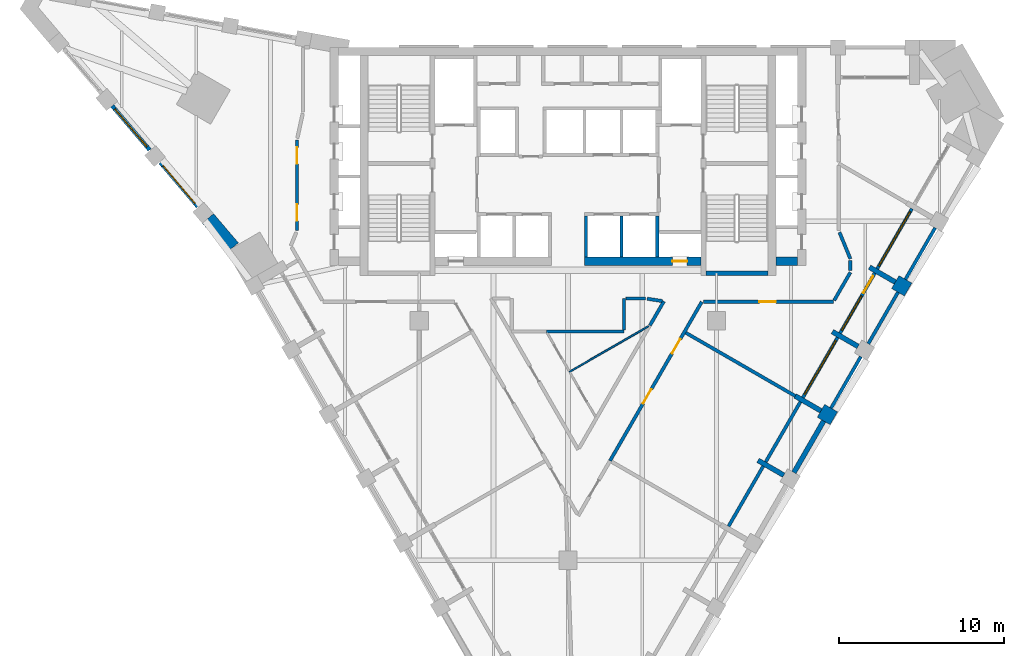
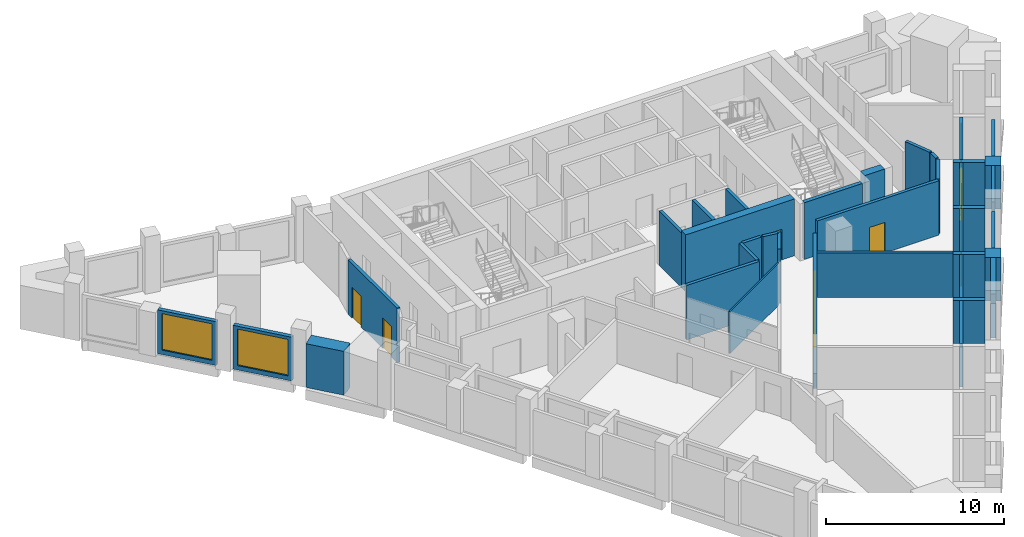
# One storey, part 4 of 9: 37 walls, 7 doors, 5 windows, 12 openings.
"""IFC4 building model written with IfcOpenShell, lengths in metres."""

from ifc_helpers import new_model, si_unit, direction, frame, frame_2d, origin, place, context, subcontext, project, spatial, polyline, rectangle, outline, extrude, material, layer, layer_set, type_object, element, fill, save


model = new_model("IFC4")

# Units and contexts
model_context = context("Model", 3, precision=1e-05, world=origin(), true_north=direction((0.0, 1.0)))
body_context = subcontext(model_context, "Body", "Model", "MODEL_VIEW")
ifc_project = project(units=[si_unit("LENGTHUNIT", "METRE"), si_unit("AREAUNIT", "SQUARE_METRE"), si_unit("VOLUMEUNIT", "CUBIC_METRE"), si_unit("PLANEANGLEUNIT", "RADIAN"), si_unit("MASSUNIT", "GRAM", prefix="KILO")], contexts=[model_context])

# Site, building, storey
site_placement = place(None, origin())
site = spatial("IfcSite", under=ifc_project, at=site_placement, CompositionType="ELEMENT")
building_placement = place(site_placement, origin())
building = spatial("IfcBuilding", under=site, at=building_placement, Name="Calabash Gate Tower", CompositionType="ELEMENT")
storey_placement = place(building_placement, frame((0.0, 0.0, 223.699951171875)))
storey = spatial("IfcBuildingStorey", under=building, at=storey_placement, Name="L53", CompositionType="ELEMENT", Elevation=223.699951171875)

# Walls
ifc_material_1 = material(Name="Terracotta brick masonry, exposed face", Category="masonry")
ifc_layer_1 = layer(ifc_material_1, 0.89990234375)
ifc_layer_set_1 = layer_set([ifc_layer_1], Name="Brick end wall 900")
wall_type_1 = type_object("IfcWallType", Name="Brick end wall 900", PredefinedType="SOLIDWALL", material=ifc_layer_set_1)
for number, where, z_axis, x_axis, name in (
    (1, (16.09912109375, -3.400634765625, 0.0), (0.0, 0.0, 1.0), (-0.865964261186, 0.500105887137, 0.0), "Brick pier S15 SE2.5"),
    (2, (20.59912109375, 4.3935546875, 0.0), (0.0, 0.0, 1.0), (-0.865964261186, 0.500105887137, 0.0), "Brick pier S15 SE2.7"),
):
    element("IfcWall", number, at=place(storey_placement, frame(where, z_axis=z_axis, x_axis=x_axis)), inside=storey, type_object=wall_type_1, Name=name, PredefinedType="SOLIDWALL", context=body_context, shape_type="SweptSolid", body=[
        extrude(rectangle(XDim=0.900146484375, YDim=0.89990234375, at=frame_2d((0.4501953125, 0.0))), origin(), (0.0, 0.0, 1.0), 3.0),
    ])
wall_1_placement = place(storey_placement, origin())
element("IfcWall", 3, at=wall_1_placement, inside=storey, type_object=wall_type_1, Name="Brick end wall S15 3", PredefinedType="SOLIDWALL", context=body_context, shape_type="SweptSolid", body=[
    extrude(outline(polyline([(-19.947998046875, 7.2197265625), (-21.44921875, 8.985595703125), (-22.135009765625, 8.402587890625), (-20.66015625, 6.667724609375), (-20.6806640625, 6.703125), (-20.291015625, 6.92822265625), (-19.947998046875, 7.2197265625)])), origin(), (0.0, 0.0, 1.0), 3.0),
])
ifc_material_2 = material(Name="Terracotta brick masonry, exposed face", Category="masonry")
ifc_layer_2 = layer(ifc_material_2, 0.300048828125)
ifc_layer_set_2 = layer_set([ifc_layer_2], Name="Brick infill panel wall 300")
wall_type_2 = type_object("IfcWallType", Name="Brick infill panel wall 300", PredefinedType="SOLIDWALL", material=ifc_layer_set_2)
wall_2_placement = place(storey_placement, frame((13.684326171875, -6.682861328125, 0.0), z_axis=(0.0, 0.0, 1.0), x_axis=(0.500012057535, 0.866018442252, 0.0)))
element("IfcWall", 4, at=wall_2_placement, inside=storey, type_object=wall_type_2, Name="Brick panel S15 SE2.5", PredefinedType="SOLIDWALL", context=body_context, shape_type="SweptSolid", body=[
    extrude(rectangle(XDim=3.60009765625, YDim=0.300048828125, at=frame_2d((1.800048828125, 0.0))), origin(), (0.0, 0.0, 1.0), 3.0),
])
ifc_material_3 = material(Name="Terracotta brick masonry, exposed face", Category="masonry")
ifc_layer_3 = layer(ifc_material_3, 0.300048828125)
ifc_layer_set_3 = layer_set([ifc_layer_3], Name="Brick loggia cheek wall 300")
wall_type_3 = type_object("IfcWallType", Name="Brick loggia cheek wall 300", PredefinedType="SOLIDWALL", material=ifc_layer_set_3)
for number, where, z_axis, x_axis, name in (
    (5, (13.069580078125, -6.84765625, 0.0), (0.0, 0.0, 1.0), (-0.866047807691, 0.499961193289, 0.0), "Loggia cheek S15 SE2.4"),
    (6, (15.319580078125, -2.950439453125, 0.0), (0.0, 0.0, 1.0), (-0.866047807691, 0.499961193289, 0.0), "Loggia cheek S15 SE2.5"),
):
    element("IfcWall", number, at=place(storey_placement, frame(where, z_axis=z_axis, x_axis=x_axis)), inside=storey, type_object=wall_type_3, Name=name, PredefinedType="SOLIDWALL", context=body_context, shape_type="SweptSolid", body=[
        extrude(rectangle(XDim=1.800048828125, YDim=0.300048828125, at=frame_2d((0.89990234375, 0.0))), origin(), (0.0, 0.0, 1.0), 3.0),
    ])
wall_3_placement = place(storey_placement, frame((17.569091796875, 0.94677734375, 0.0), z_axis=(0.0, 0.0, 1.0), x_axis=(-0.865979975379, 0.500078676053, 0.0)))
element("IfcWall", 7, at=wall_3_placement, inside=storey, type_object=wall_type_3, Name="Loggia cheek S15 SE2.6", PredefinedType="SOLIDWALL", context=body_context, shape_type="SweptSolid", body=[
    extrude(rectangle(XDim=1.799560546875, YDim=0.300048828125, at=frame_2d((0.89990234375, 0.0))), origin(), (0.0, 0.0, 1.0), 3.0),
])
wall_4_placement = place(storey_placement, frame((19.819580078125, 4.84375, 0.0), z_axis=(0.0, 0.0, 1.0), x_axis=(-0.866047807691, 0.499961193289, 0.0)))
element("IfcWall", 8, at=wall_4_placement, inside=storey, type_object=wall_type_3, Name="Loggia cheek S15 SE2.7", PredefinedType="SOLIDWALL", context=body_context, shape_type="SweptSolid", body=[
    extrude(rectangle(XDim=1.800048828125, YDim=0.300048828125, at=frame_2d((0.89990234375, 0.0))), origin(), (0.0, 0.0, 1.0), 3.0),
])
ifc_material_4 = material(Name="Concrete C70/85", Category="concrete")
ifc_layer_4 = layer(ifc_material_4, 0.25)
ifc_layer_set_4 = layer_set([ifc_layer_4], Name="Core wall 250 Concrete C70/85")
wall_type_4 = type_object("IfcWallType", Name="Core wall 250 Concrete C70/85", PredefinedType="SHEAR", material=ifc_layer_set_4)
wall_5_placement = place(storey_placement, frame((8.35009765625, 5.377685546875, 0.0), z_axis=(0.0, 0.0, 1.0), x_axis=(1.0, 0.0, 0.0)))
element("IfcWall", 9, at=wall_5_placement, inside=storey, type_object=wall_type_4, Name="Core wall Z4-SSE L53", PredefinedType="SHEAR", context=body_context, shape_type="SweptSolid", body=[
    extrude(rectangle(XDim=3.75, YDim=0.25, at=frame_2d((1.875, 0.0))), origin(), (0.0, 0.0, 1.0), 3.900146484375),
])

# Wall, opening, door
ifc_material_5 = material(Name="Concrete C70/85", Category="concrete")
ifc_layer_5 = layer(ifc_material_5, 0.5)
ifc_layer_set_5 = layer_set([ifc_layer_5], Name="Core wall 500 Concrete C70/85")
wall_type_5 = type_object("IfcWallType", Name="Core wall 500 Concrete C70/85", PredefinedType="SHEAR", material=ifc_layer_set_5)
wall_6_placement = place(storey_placement, frame((1.0, 6.1025390625, 0.0), z_axis=(0.0, 0.0, 1.0), x_axis=(1.0, 0.0, 0.0)))
wall_6 = element("IfcWall", 10, at=wall_6_placement, inside=storey, type_object=wall_type_5, Name="Core wall Z4-SB L53", PredefinedType="SHEAR", context=body_context, shape_type="SweptSolid", body=[
    extrude(rectangle(XDim=7.050048828125, YDim=0.5, at=frame_2d((3.52490234375, 0.0))), origin(), (0.0, 0.0, 1.0), 3.900146484375),
])
opening_1_placement = place(wall_6_placement, frame((5.324951171875, 0.0, 0.0)))
opening_1 = element("IfcOpeningElement", 11, at=opening_1_placement, cuts=wall_6, Name="Opening O7-016", PredefinedType="OPENING", context=body_context, shape_type="SweptSolid", body=[
    extrude(rectangle(XDim=0.89990234375, YDim=2.10009765625, at=frame_2d((0.449951171875, 1.050048828125))), frame((0.0, 0.260009765625, 0.0), z_axis=(0.0, -1.0, 0.0), x_axis=(1.0, 0.0, 0.0)), (0.0, 0.0, 1.0), 0.52001953125),
])
ifc_material_6 = material(Name="Steel fire door set with fire-resisting glazing", Category="steel")
door_type_1 = type_object("IfcDoorType", Name="Fire door D07 900x2100 FD90", OperationType="NOTDEFINED", PredefinedType="DOOR", material=ifc_material_6)
door_1_placement = place(opening_1_placement, origin())
door_1 = element("IfcDoor", 12, at=door_1_placement, inside=storey, type_object=door_type_1, Name="Mechanical Riser E door", OperationType="SINGLE_SWING_RIGHT", OverallHeight=2.10009765625, OverallWidth=0.89990234375, PredefinedType="DOOR", context=body_context, shape_type="SweptSolid", body=[
    extrude(rectangle(XDim=0.89990234375, YDim=2.10009765625, at=frame_2d((0.449951171875, 1.050048828125))), frame((0.0, 0.02490234375, 0.0), z_axis=(0.0, -1.0, 0.0), x_axis=(1.0, 0.0, 0.0)), (0.0, 0.0, 1.0), 0.050048828125),
])
fill(opening_1, door_1)

# Walls
wall_7_placement = place(storey_placement, frame((12.60009765625, 6.1025390625, 0.0), z_axis=(0.0, 0.0, 1.0), x_axis=(1.0, 0.0, 0.0)))
element("IfcWall", 13, at=wall_7_placement, inside=storey, type_object=wall_type_5, Name="Core wall Z4-SE L53", PredefinedType="SHEAR", context=body_context, shape_type="SweptSolid", body=[
    extrude(rectangle(XDim=1.2998046875, YDim=0.5, at=frame_2d((0.64990234375, 0.0))), origin(), (0.0, 0.0, 1.0), 3.900146484375),
])
ifc_material_7 = material(Name="Gypsum board on steel studs, mineral wool", Category="steel")
ifc_layer_6 = layer(ifc_material_7, 0.10009765625)
ifc_layer_set_6 = layer_set([ifc_layer_6], Name="Partition 100 gypsum board")
wall_type_6 = type_object("IfcWallType", Name="Partition 100 gypsum board", PredefinedType="PARTITIONING", material=ifc_layer_set_6)
wall_8_placement = place(storey_placement, frame((0.09912109375, -0.587646484375, 0.0), z_axis=(0.0, 0.0, 1.0), x_axis=(0.866176017048, 0.49973903939, 0.0)))
element("IfcWall", 14, at=wall_8_placement, inside=storey, type_object=wall_type_6, Name="Partition", PredefinedType="PARTITIONING", context=body_context, shape_type="SweptSolid", body=[
    extrude(rectangle(XDim=5.52197265625, YDim=0.10009765625, at=frame_2d((2.760986328125, 0.0))), origin(), (0.0, 0.0, 1.0), 2.884033203125),
])
ifc_material_8 = material(Name="Gypsum board on steel studs, mineral wool", Category="steel")
ifc_layer_7 = layer(ifc_material_8, 0.199951171875)
ifc_layer_set_7 = layer_set([ifc_layer_7], Name="Partition 200 gypsum board EI 60")
wall_type_7 = type_object("IfcWallType", Name="Partition 200 gypsum board EI 60", PredefinedType="PARTITIONING", material=ifc_layer_set_7)
wall_9_placement = place(storey_placement, frame((7.13720703125, 1.77587890625, 0.0), z_axis=(0.0, 0.0, 1.0), x_axis=(0.865929891815, -0.500165395106, 0.0)))
element("IfcWall", 15, at=wall_9_placement, inside=storey, type_object=wall_type_7, Name="Partition", PredefinedType="PARTITIONING", context=body_context, shape_type="SweptSolid", body=[
    extrude(rectangle(XDim=7.6494140625, YDim=0.199951171875, at=frame_2d((3.82470703125, 0.0))), origin(), (0.0, 0.0, 1.0), 3.052001953125),
])
wall_10_placement = place(storey_placement, frame((-1.308837890625, 1.8505859375, 0.0), z_axis=(0.0, 0.0, 1.0), x_axis=(0.999999934138, 0.000362938743, 0.0)))
element("IfcWall", 16, at=wall_10_placement, inside=storey, type_object=wall_type_7, Name="Partition", PredefinedType="PARTITIONING", context=body_context, shape_type="SweptSolid", body=[
    extrude(rectangle(XDim=4.708740234375, YDim=0.199951171875, at=frame_2d((2.3544921875, 0.0))), origin(), (0.0, 0.0, 1.0), 3.72998046875),
])
wall_11_placement = place(storey_placement, frame((4.9677734375, 2.223388671875, 0.0), z_axis=(0.0, 0.0, 1.0), x_axis=(0.500876298319, 0.865518881239, 0.0)))
element("IfcWall", 17, at=wall_11_placement, inside=storey, type_object=wall_type_7, Name="Partition", PredefinedType="PARTITIONING", context=body_context, shape_type="SweptSolid", body=[
    extrude(rectangle(XDim=1.6845703125, YDim=0.199951171875, at=frame_2d((0.84228515625, 0.0))), origin(), (0.0, 0.0, 1.0), 3.72998046875),
])

# Wall, openings, doors
wall_12_placement = place(storey_placement, frame((2.55078125, -5.970703125, 0.0), z_axis=(0.0, 0.0, 1.0), x_axis=(0.500007765274, 0.866020920455, 0.0)))
wall_12 = element("IfcWall", 18, at=wall_12_placement, inside=storey, type_object=wall_type_7, Name="Partition", PredefinedType="PARTITIONING", context=body_context, shape_type="SweptSolid", body=[
    extrude(rectangle(XDim=11.110595703125, YDim=0.199951171875, at=frame_2d((5.55517578125, 0.0))), origin(), (0.0, 0.0, 1.0), 2.884033203125),
])
opening_2_placement = place(wall_12_placement, frame((4.0, 0.0, 0.0)))
opening_2 = element("IfcOpeningElement", 19, at=opening_2_placement, cuts=wall_12, Name="Opening 52-54-003", PredefinedType="OPENING", context=body_context, shape_type="SweptSolid", body=[
    extrude(rectangle(XDim=1.0, YDim=2.10009765625, at=frame_2d((0.5, 1.050048828125))), frame((0.0, 0.10986328125, 0.0), z_axis=(0.0, -1.0, 0.0), x_axis=(1.0, 0.0, 0.0)), (0.0, 0.0, 1.0), 0.219970703125),
])
opening_3_placement = place(wall_12_placement, frame((7.501708984375, 0.0, 0.0)))
opening_3 = element("IfcOpeningElement", 20, at=opening_3_placement, cuts=wall_12, Name="Opening 52-54-004", PredefinedType="OPENING", context=body_context, shape_type="SweptSolid", body=[
    extrude(rectangle(XDim=1.0, YDim=2.10009765625, at=frame_2d((0.5, 1.050048828125))), frame((0.0, 0.10986328125, 0.0), z_axis=(0.0, -1.0, 0.0), x_axis=(1.0, 0.0, 0.0)), (0.0, 0.0, 1.0), 0.219970703125),
])
ifc_material_9 = material(Name="Steel fire door set with fire-resisting glazing", Category="steel")
door_type_2 = type_object("IfcDoorType", Name="LD2 Meeting room door 1000x2100", OperationType="NOTDEFINED", PredefinedType="DOOR", material=ifc_material_9)
door_2_placement = place(opening_2_placement, origin())
door_2 = element("IfcDoor", 21, at=door_2_placement, inside=storey, type_object=door_type_2, Name="Meeting room door", OperationType="SINGLE_SWING_LEFT", OverallHeight=2.10009765625, OverallWidth=1.0, PredefinedType="DOOR", context=body_context, shape_type="SweptSolid", body=[
    extrude(rectangle(XDim=1.0, YDim=2.10009765625, at=frame_2d((0.5, 1.050048828125))), frame((0.0, 0.02490234375, 0.0), z_axis=(0.0, -1.0, 0.0), x_axis=(1.0, 0.0, 0.0)), (0.0, 0.0, 1.0), 0.050048828125),
])
fill(opening_2, door_2)
door_3_placement = place(opening_3_placement, origin())
door_3 = element("IfcDoor", 22, at=door_3_placement, inside=storey, type_object=door_type_2, Name="Meeting room door", OperationType="SINGLE_SWING_RIGHT", OverallHeight=2.10009765625, OverallWidth=1.0, PredefinedType="DOOR", context=body_context, shape_type="SweptSolid", body=[
    extrude(rectangle(XDim=1.0, YDim=2.10009765625, at=frame_2d((0.5, 1.050048828125))), frame((0.0, 0.02490234375, 0.0), z_axis=(0.0, -1.0, 0.0), x_axis=(1.0, 0.0, 0.0)), (0.0, 0.0, 1.0), 0.050048828125),
])
fill(opening_3, door_3)

# Wall, opening, door
wall_13_placement = place(storey_placement, frame((8.204833984375, 3.652099609375, 0.0), z_axis=(0.0, 0.0, 1.0), x_axis=(1.0, 0.0, 0.0)))
wall_13 = element("IfcWall", 23, at=wall_13_placement, inside=storey, type_object=wall_type_7, Name="Partition", PredefinedType="PARTITIONING", context=body_context, shape_type="SweptSolid", body=[
    extrude(rectangle(XDim=7.867431640625, YDim=0.199951171875, at=frame_2d((3.93359375, 0.0))), origin(), (0.0, 0.0, 1.0), 3.72998046875),
])
opening_4_placement = place(wall_13_placement, frame((3.3837890625, 0.0, 0.0)))
opening_4 = element("IfcOpeningElement", 24, at=opening_4_placement, cuts=wall_13, Name="Opening 52-54-009", PredefinedType="OPENING", context=body_context, shape_type="SweptSolid", body=[
    extrude(rectangle(XDim=1.0, YDim=2.10009765625, at=frame_2d((0.5, 1.050048828125))), frame((0.0, 0.10986328125, 0.0), z_axis=(0.0, -1.0, 0.0), x_axis=(1.0, 0.0, 0.0)), (0.0, 0.0, 1.0), 0.219970703125),
])
door_4_placement = place(opening_4_placement, origin())
door_4 = element("IfcDoor", 25, at=door_4_placement, inside=storey, type_object=door_type_2, Name="Meeting room door", OperationType="SINGLE_SWING_LEFT", OverallHeight=2.10009765625, OverallWidth=1.0, PredefinedType="DOOR", context=body_context, shape_type="SweptSolid", body=[
    extrude(rectangle(XDim=1.0, YDim=2.10009765625, at=frame_2d((0.5, 1.050048828125))), frame((0.0, 0.02490234375, 0.0), z_axis=(0.0, -1.0, 0.0), x_axis=(1.0, 0.0, 0.0)), (0.0, 0.0, 1.0), 0.050048828125),
])
fill(opening_4, door_4)

# Walls
wall_14_placement = place(storey_placement, frame((4.798828125, 3.837158203125, 0.0), z_axis=(0.0, 0.0, 1.0), x_axis=(0.988365591488, -0.152096869008, 0.0)))
element("IfcWall", 26, at=wall_14_placement, inside=storey, type_object=wall_type_7, Name="Partition", PredefinedType="PARTITIONING", context=body_context, shape_type="SweptSolid", body=[
    extrude(rectangle(XDim=0.924560546875, YDim=0.199951171875, at=frame_2d((0.46240234375, 0.0))), origin(), (0.0, 0.0, 1.0), 3.72998046875),
])
wall_15_placement = place(storey_placement, frame((3.400146484375, 1.952392578125, 0.0), z_axis=(0.0, 0.0, 1.0), x_axis=(0.001028938362, 0.999999470643, 0.0)))
element("IfcWall", 27, at=wall_15_placement, inside=storey, type_object=wall_type_7, Name="Partition", PredefinedType="PARTITIONING", context=body_context, shape_type="SweptSolid", body=[
    extrude(rectangle(XDim=1.898193359375, YDim=0.199951171875, at=frame_2d((0.94921875, 0.0))), origin(), (0.0, 0.0, 1.0), 3.72998046875),
])
wall_16_placement = place(storey_placement, frame((3.501953125, 3.8505859375, 0.0), z_axis=(0.0, 0.0, 1.0), x_axis=(0.999998982503, 0.001426532072, 0.0)))
element("IfcWall", 28, at=wall_16_placement, inside=storey, type_object=wall_type_7, Name="Partition", PredefinedType="PARTITIONING", context=body_context, shape_type="SweptSolid", body=[
    extrude(rectangle(XDim=1.197998046875, YDim=0.199951171875, at=frame_2d((0.59912109375, 0.0))), origin(), (0.0, 0.0, 1.0), 3.72998046875),
])
wall_17_placement = place(storey_placement, frame((16.122314453125, 3.73876953125, 0.0), z_axis=(0.0, 0.0, 1.0), x_axis=(0.500017700655, 0.866015184065, 0.0)))
element("IfcWall", 29, at=wall_17_placement, inside=storey, type_object=wall_type_7, Name="Partition", PredefinedType="PARTITIONING", context=body_context, shape_type="SweptSolid", body=[
    extrude(rectangle(XDim=1.95654296875, YDim=0.199951171875, at=frame_2d((0.978271484375, 0.0))), origin(), (0.0, 0.0, 1.0), 3.72998046875),
])
wall_18_placement = place(storey_placement, frame((17.1005859375, 6.152587890625, 0.0), z_axis=(0.0, 0.0, 1.0), x_axis=(0.0, -1.0, 0.0)))
element("IfcWall", 30, at=wall_18_placement, inside=storey, type_object=wall_type_7, Name="Partition", PredefinedType="PARTITIONING", context=body_context, shape_type="SweptSolid", body=[
    extrude(rectangle(XDim=0.619384765625, YDim=0.199951171875, at=frame_2d((0.3095703125, 0.0))), origin(), (0.0, 0.0, 1.0), 3.72998046875),
])
wall_19_placement = place(storey_placement, frame((16.438720703125, 7.860107421875, 0.0), z_axis=(0.0, 0.0, 1.0), x_axis=(0.380742741509, -0.924681007044, 0.0)))
element("IfcWall", 31, at=wall_19_placement, inside=storey, type_object=wall_type_7, Name="Partition", PredefinedType="PARTITIONING", context=body_context, shape_type="SweptSolid", body=[
    extrude(rectangle(XDim=1.73828125, YDim=0.199951171875, at=frame_2d((0.869140625, 0.0))), origin(), (0.0, 0.0, 1.0), 3.72998046875),
])

# Wall, openings, doors
wall_20_placement = place(storey_placement, frame((-16.400390625, 7.95263671875, 0.0), z_axis=(0.0, 0.0, 1.0), x_axis=(0.0, 1.0, 0.0)))
wall_20 = element("IfcWall", 32, at=wall_20_placement, inside=storey, type_object=wall_type_7, Name="Partition", PredefinedType="PARTITIONING", context=body_context, shape_type="SweptSolid", body=[
    extrude(rectangle(XDim=5.5, YDim=0.199951171875, at=frame_2d((2.75, 0.0))), origin(), (0.0, 0.0, 1.0), 3.72998046875),
])
opening_5_placement = place(wall_20_placement, frame((0.60009765625, 0.0, 0.0)))
opening_5 = element("IfcOpeningElement", 33, at=opening_5_placement, cuts=wall_20, Name="Opening 52-54-005", PredefinedType="OPENING", context=body_context, shape_type="SweptSolid", body=[
    extrude(rectangle(XDim=1.0, YDim=2.10009765625, at=frame_2d((0.5, 1.050048828125))), frame((0.0, 0.10986328125, 0.0), z_axis=(0.0, -1.0, 0.0), x_axis=(1.0, 0.0, 0.0)), (0.0, 0.0, 1.0), 0.219970703125),
])
opening_6_placement = place(wall_20_placement, frame((4.0498046875, 0.0, 0.0)))
opening_6 = element("IfcOpeningElement", 34, at=opening_6_placement, cuts=wall_20, Name="Opening 52-54-006", PredefinedType="OPENING", context=body_context, shape_type="SweptSolid", body=[
    extrude(rectangle(XDim=1.0, YDim=2.10009765625, at=frame_2d((0.5, 1.050048828125))), frame((0.0, 0.10986328125, 0.0), z_axis=(0.0, -1.0, 0.0), x_axis=(1.0, 0.0, 0.0)), (0.0, 0.0, 1.0), 0.219970703125),
])
door_5_placement = place(opening_5_placement, origin())
door_5 = element("IfcDoor", 35, at=door_5_placement, inside=storey, type_object=door_type_2, Name="Meeting room door", OperationType="SINGLE_SWING_RIGHT", OverallHeight=2.10009765625, OverallWidth=1.0, PredefinedType="DOOR", context=body_context, shape_type="SweptSolid", body=[
    extrude(rectangle(XDim=1.0, YDim=2.10009765625, at=frame_2d((0.5, 1.050048828125))), frame((0.0, 0.02490234375, 0.0), z_axis=(0.0, -1.0, 0.0), x_axis=(1.0, 0.0, 0.0)), (0.0, 0.0, 1.0), 0.050048828125),
])
fill(opening_5, door_5)
door_6_placement = place(opening_6_placement, origin())
door_6 = element("IfcDoor", 36, at=door_6_placement, inside=storey, type_object=door_type_2, Name="Meeting room door", OperationType="SINGLE_SWING_LEFT", OverallHeight=2.10009765625, OverallWidth=1.0, PredefinedType="DOOR", context=body_context, shape_type="SweptSolid", body=[
    extrude(rectangle(XDim=1.0, YDim=2.10009765625, at=frame_2d((0.5, 1.050048828125))), frame((0.0, 0.02490234375, 0.0), z_axis=(0.0, -1.0, 0.0), x_axis=(1.0, 0.0, 0.0)), (0.0, 0.0, 1.0), 0.050048828125),
])
fill(opening_6, door_6)

# Wall, opening, window
ifc_material_10 = material(Name="Aluminium framed window wall with insulated spandrel", Category="aluminium")
ifc_layer_8 = layer(ifc_material_10, 0.25)
ifc_layer_set_8 = layer_set([ifc_layer_8], Name="Prow window wall 250")
wall_type_8 = type_object("IfcWallType", Name="Prow window wall 250", PredefinedType="ELEMENTEDWALL", material=ifc_layer_set_8)
wall_21_placement = place(storey_placement, frame((-27.589111328125, 15.512939453125, 0.0), z_axis=(0.0, 0.0, 1.0), x_axis=(0.647741556426, -0.761860142073, 0.0)))
wall_21 = element("IfcWall", 37, at=wall_21_placement, inside=storey, type_object=wall_type_8, Name="Prow window wall S15 wedge7.2", PredefinedType="ELEMENTEDWALL", context=body_context, shape_type="SweptSolid", body=[
    extrude(rectangle(XDim=3.5, YDim=0.25, at=frame_2d((1.75, 0.0))), origin(), (0.0, 0.0, 1.0), 3.0),
])
opening_7_placement = place(wall_21_placement, frame((0.25, 0.0, 0.300048828125)))
opening_7 = element("IfcOpeningElement", 38, at=opening_7_placement, cuts=wall_21, Name="Opening WP2", PredefinedType="OPENING", context=body_context, shape_type="SweptSolid", body=[
    extrude(rectangle(XDim=3.0, YDim=2.5, at=frame_2d((1.5, 1.25))), frame((0.0, 0.135009765625, 0.0), z_axis=(0.0, -1.0, 0.0), x_axis=(1.0, 0.0, 0.0)), (0.0, 0.0, 1.0), 0.27001953125),
])
ifc_material_11 = material(Name="Anodised aluminium frame, bronze finish, impact-rated laminated clear glazing", Category="aluminium")
window_type_1 = type_object("IfcWindowType", Name="Window WP2 3000x2500", PartitioningType="DOUBLE_PANEL_VERTICAL", PredefinedType="WINDOW", material=ifc_material_11)
window_1_placement = place(opening_7_placement, origin())
window_1 = element("IfcWindow", 39, at=window_1_placement, inside=storey, type_object=window_type_1, Name="Prow window WP2 S15 wedge7.2", OverallHeight=2.5, OverallWidth=3.0, PartitioningType="SINGLE_PANEL", PredefinedType="WINDOW", context=body_context, shape_type="SweptSolid", body=[
    extrude(rectangle(XDim=3.0, YDim=2.5, at=frame_2d((1.5, 1.25))), frame((0.0, 0.030029296875, 0.0), z_axis=(0.0, -1.0, 0.0), x_axis=(1.0, 0.0, 0.0)), (0.0, 0.0, 1.0), 0.06005859375),
])
fill(opening_7, window_1)

wall_22_placement = place(storey_placement, frame((-24.67431640625, 12.08447265625, 0.0), z_axis=(0.0, 0.0, 1.0), x_axis=(0.647701065937, -0.761894565661, 0.0)))
wall_22 = element("IfcWall", 40, at=wall_22_placement, inside=storey, type_object=wall_type_8, Name="Prow window wall S15 wedge7.3", PredefinedType="ELEMENTEDWALL", context=body_context, shape_type="SweptSolid", body=[
    extrude(rectangle(XDim=3.499755859375, YDim=0.25, at=frame_2d((1.75, 0.0))), origin(), (0.0, 0.0, 1.0), 3.0),
])
opening_8_placement = place(wall_22_placement, frame((0.25, 0.0, 0.300048828125)))
opening_8 = element("IfcOpeningElement", 41, at=opening_8_placement, cuts=wall_22, Name="Opening WP2", PredefinedType="OPENING", context=body_context, shape_type="SweptSolid", body=[
    extrude(rectangle(XDim=3.0, YDim=2.5, at=frame_2d((1.5, 1.25))), frame((0.0, 0.135009765625, 0.0), z_axis=(0.0, -1.0, 0.0), x_axis=(1.0, 0.0, 0.0)), (0.0, 0.0, 1.0), 0.27001953125),
])
window_2_placement = place(opening_8_placement, origin())
window_2 = element("IfcWindow", 42, at=window_2_placement, inside=storey, type_object=window_type_1, Name="Prow window WP2 S15 wedge7.3", OverallHeight=2.5, OverallWidth=3.0, PartitioningType="SINGLE_PANEL", PredefinedType="WINDOW", context=body_context, shape_type="SweptSolid", body=[
    extrude(rectangle(XDim=3.0, YDim=2.5, at=frame_2d((1.5, 1.25))), frame((0.0, 0.030029296875, 0.0), z_axis=(0.0, -1.0, 0.0), x_axis=(1.0, 0.0, 0.0)), (0.0, 0.0, 1.0), 0.06005859375),
])
fill(opening_8, window_2)

# Walls
ifc_material_12 = material(Name="Concrete C40/50", Category="concrete")
ifc_layer_9 = layer(ifc_material_12, 0.199951171875)
ifc_layer_set_9 = layer_set([ifc_layer_9], Name="Shaft wall 200 Concrete C40/50")
wall_type_9 = type_object("IfcWallType", Name="Shaft wall 200 Concrete C40/50", PredefinedType="SOLIDWALL", material=ifc_layer_set_9)
for number, where, z_axis, x_axis, name in (
    (43, (1.10009765625, 6.3525390625, 0.0), (0.0, 0.0, 1.0), (0.0, 1.0, 0.0), "Shaft wall"),
    (44, (3.25, 6.3525390625, 0.0), (0.0, 0.0, 1.0), (0.0, 1.0, 0.0), "Shaft wall"),
    (45, (5.39990234375, 6.3525390625, 0.0), (0.0, 0.0, 1.0), (0.0, 1.0, 0.0), "Shaft wall"),
):
    element("IfcWall", number, at=place(storey_placement, frame(where, z_axis=z_axis, x_axis=x_axis)), inside=storey, type_object=wall_type_9, Name=name, PredefinedType="SOLIDWALL", context=body_context, shape_type="SweptSolid", body=[
        extrude(rectangle(XDim=2.5, YDim=0.199951171875, at=frame_2d((1.25, 0.0))), origin(), (0.0, 0.0, 1.0), 3.72998046875),
    ])
ifc_material_13 = material(Name="Terracotta brick masonry, perforated", Category="masonry")
ifc_layer_10 = layer(ifc_material_13, 0.199951171875)
ifc_layer_set_10 = layer_set([ifc_layer_10], Name="Terracotta jaali screen A")
wall_type_10 = type_object("IfcWallType", Name="Terracotta jaali screen A", PredefinedType="SOLIDWALL", material=ifc_layer_set_10)
for number, where, z_axis, x_axis, name in (
    (46, (15.934326171875, -2.785888671875, 0.0), (0.0, 0.0, 1.0), (0.500012057535, 0.866018442252, 0.0), "SCREEN A S15 SE2.6"),
    (47, (18.184326171875, 1.111328125, 0.0), (0.0, 0.0, 1.0), (0.500012057535, 0.866018442252, 0.0), "SCREEN A S15 SE2.7"),
    (48, (20.434326171875, 5.00830078125, 0.0), (0.0, 0.0, 1.0), (0.500012057535, 0.866018442252, 0.0), "SCREEN A S15 SE2.8"),
):
    element("IfcWall", number, at=place(storey_placement, frame(where, z_axis=z_axis, x_axis=x_axis)), inside=storey, type_object=wall_type_10, Name=name, PredefinedType="SOLIDWALL", context=body_context, shape_type="SweptSolid", body=[
        extrude(rectangle(XDim=3.60009765625, YDim=0.199951171875, at=frame_2d((1.800048828125, 0.0))), origin(), (0.0, 0.0, 1.0), 3.0),
    ])
ifc_material_14 = material(Name="Aluminium framed window wall with insulated spandrel", Category="aluminium")
ifc_layer_11 = layer(ifc_material_14, 0.199951171875)
ifc_layer_set_11 = layer_set([ifc_layer_11], Name="Window wall 200")
wall_type_11 = type_object("IfcWallType", Name="Window wall 200", PredefinedType="ELEMENTEDWALL", material=ifc_layer_set_11)
wall_23_placement = place(storey_placement, frame((9.725341796875, -9.93994140625, 0.0), z_axis=(0.0, 0.0, 1.0), x_axis=(0.500002543286, 0.866023935413, 0.0)))
element("IfcWall", 49, at=wall_23_placement, inside=storey, type_object=wall_type_11, Name="Window wall S15 SE2.4", PredefinedType="ELEMENTEDWALL", context=body_context, shape_type="SweptSolid", body=[
    extrude(rectangle(XDim=4.2001953125, YDim=0.199951171875, at=frame_2d((2.10009765625, 0.0))), origin(), (0.0, 0.0, 1.0), 3.0),
])
wall_24_placement = place(storey_placement, frame((11.975341796875, -6.042724609375, 0.0), z_axis=(0.0, 0.0, 1.0), x_axis=(0.500027713859, 0.866009402589, 0.0)))
element("IfcWall", 50, at=wall_24_placement, inside=storey, type_object=wall_type_11, Name="Window wall S15 SE2.5", PredefinedType="ELEMENTEDWALL", context=body_context, shape_type="SweptSolid", body=[
    extrude(rectangle(XDim=4.199951171875, YDim=0.199951171875, at=frame_2d((2.10009765625, 0.0))), origin(), (0.0, 0.0, 1.0), 3.0),
])

# Wall, opening, window
wall_25_placement = place(storey_placement, frame((14.225341796875, -2.145751953125, 0.0), z_axis=(0.0, 0.0, 1.0), x_axis=(0.500002543286, 0.866023935413, 0.0)))
wall_25 = element("IfcWall", 51, at=wall_25_placement, inside=storey, type_object=wall_type_11, Name="Window wall S15 SE2.6", PredefinedType="ELEMENTEDWALL", context=body_context, shape_type="SweptSolid", body=[
    extrude(rectangle(XDim=4.2001953125, YDim=0.199951171875, at=frame_2d((2.10009765625, 0.0))), origin(), (0.0, 0.0, 1.0), 3.0),
])
opening_9_placement = place(wall_25_placement, frame((0.199951171875, 0.0, 0.449951171875)))
opening_9 = element("IfcOpeningElement", 52, at=opening_9_placement, cuts=wall_25, Name="Opening OW2", PredefinedType="OPENING", context=body_context, shape_type="SweptSolid", body=[
    extrude(rectangle(XDim=3.800048828125, YDim=2.25, at=frame_2d((1.89990234375, 1.125))), frame((0.0, 0.10986328125, 0.0), z_axis=(0.0, -1.0, 0.0), x_axis=(1.0, 0.0, 0.0)), (0.0, 0.0, 1.0), 0.219970703125),
])
ifc_material_15 = material(Name="Anodised aluminium frame, bronze finish, impact-rated laminated clear glazing", Category="aluminium")
window_type_2 = type_object("IfcWindowType", Name="Window OW2 3800x2250", PartitioningType="TRIPLE_PANEL_VERTICAL", PredefinedType="WINDOW", material=ifc_material_15)
window_3_placement = place(opening_9_placement, origin())
window_3 = element("IfcWindow", 53, at=window_3_placement, inside=storey, type_object=window_type_2, Name="Window OW2 S15 SE2.6", OverallHeight=2.25, OverallWidth=3.800048828125, PartitioningType="SINGLE_PANEL", PredefinedType="WINDOW", context=body_context, shape_type="SweptSolid", body=[
    extrude(rectangle(XDim=3.800048828125, YDim=2.25, at=frame_2d((1.89990234375, 1.125))), frame((0.0, 0.030029296875, 0.0), z_axis=(0.0, -1.0, 0.0), x_axis=(1.0, 0.0, 0.0)), (0.0, 0.0, 1.0), 0.06005859375),
])
fill(opening_9, window_3)

# Wall, openings, door, window
wall_26_placement = place(storey_placement, frame((16.475341796875, 1.75146484375, 0.0), z_axis=(0.0, 0.0, 1.0), x_axis=(0.500027713859, 0.866009402589, 0.0)))
wall_26 = element("IfcWall", 54, at=wall_26_placement, inside=storey, type_object=wall_type_11, Name="Window wall S15 SE2.7", PredefinedType="ELEMENTEDWALL", context=body_context, shape_type="SweptSolid", body=[
    extrude(rectangle(XDim=4.199951171875, YDim=0.199951171875, at=frame_2d((2.10009765625, 0.0))), origin(), (0.0, 0.0, 1.0), 3.0),
])
opening_10_placement = place(wall_26_placement, frame((0.199951171875, 0.0, 0.449951171875)))
opening_10 = element("IfcOpeningElement", 55, at=opening_10_placement, cuts=wall_26, Name="Opening OW1", PredefinedType="OPENING", context=body_context, shape_type="SweptSolid", body=[
    extrude(rectangle(XDim=2.39990234375, YDim=2.25, at=frame_2d((1.199951171875, 1.125))), frame((0.0, 0.10986328125, 0.0), z_axis=(0.0, -1.0, 0.0), x_axis=(1.0, 0.0, 0.0)), (0.0, 0.0, 1.0), 0.219970703125),
])
opening_11_placement = place(wall_26_placement, frame((2.800048828125, 0.0, 0.0)))
opening_11 = element("IfcOpeningElement", 56, at=opening_11_placement, cuts=wall_26, Name="Opening O7-023", PredefinedType="OPENING", context=body_context, shape_type="SweptSolid", body=[
    extrude(rectangle(XDim=1.199951171875, YDim=2.699951171875, at=frame_2d((0.60009765625, 1.35009765625))), frame((0.0, 0.10986328125, 0.0), z_axis=(0.0, -1.0, 0.0), x_axis=(1.0, 0.0, 0.0)), (0.0, 0.0, 1.0), 0.219970703125),
])
ifc_material_16 = material(Name="Anodised aluminium frame, bronze finish, impact-rated laminated clear glazing", Category="aluminium")
door_type_3 = type_object("IfcDoorType", Name="Loggia door DO1 1200x2700", OperationType="SLIDING_TO_LEFT", PredefinedType="DOOR", material=ifc_material_16)
door_7_placement = place(opening_11_placement, origin())
door_7 = element("IfcDoor", 57, at=door_7_placement, inside=storey, type_object=door_type_3, Name="Loggia door S15 SE2.7", OperationType="SINGLE_SWING_LEFT", OverallHeight=2.699951171875, OverallWidth=1.199951171875, PredefinedType="DOOR", context=body_context, shape_type="SweptSolid", body=[
    extrude(rectangle(XDim=1.199951171875, YDim=2.699951171875, at=frame_2d((0.60009765625, 1.35009765625))), frame((0.0, 0.02490234375, 0.0), z_axis=(0.0, -1.0, 0.0), x_axis=(1.0, 0.0, 0.0)), (0.0, 0.0, 1.0), 0.050048828125),
])
fill(opening_11, door_7)
ifc_material_17 = material(Name="Anodised aluminium frame, bronze finish, impact-rated laminated clear glazing", Category="aluminium")
window_type_3 = type_object("IfcWindowType", Name="Window OW1 2400x2250", PartitioningType="DOUBLE_PANEL_VERTICAL", PredefinedType="WINDOW", material=ifc_material_17)
window_4_placement = place(opening_10_placement, origin())
window_4 = element("IfcWindow", 58, at=window_4_placement, inside=storey, type_object=window_type_3, Name="Window OW1 S15 SE2.7", OverallHeight=2.25, OverallWidth=2.39990234375, PartitioningType="SINGLE_PANEL", PredefinedType="WINDOW", context=body_context, shape_type="SweptSolid", body=[
    extrude(rectangle(XDim=2.39990234375, YDim=2.25, at=frame_2d((1.199951171875, 1.125))), frame((0.0, 0.030029296875, 0.0), z_axis=(0.0, -1.0, 0.0), x_axis=(1.0, 0.0, 0.0)), (0.0, 0.0, 1.0), 0.06005859375),
])
fill(opening_10, window_4)

# Wall, opening, window
wall_27_placement = place(storey_placement, frame((18.725341796875, 5.648681640625, 0.0), z_axis=(0.0, 0.0, 1.0), x_axis=(0.500027713859, 0.866009402589, 0.0)))
wall_27 = element("IfcWall", 59, at=wall_27_placement, inside=storey, type_object=wall_type_11, Name="Window wall S15 SE2.8", PredefinedType="ELEMENTEDWALL", context=body_context, shape_type="SweptSolid", body=[
    extrude(rectangle(XDim=4.199951171875, YDim=0.199951171875, at=frame_2d((2.10009765625, 0.0))), origin(), (0.0, 0.0, 1.0), 2.9501953125),
])
opening_12_placement = place(wall_27_placement, frame((0.199951171875, 0.0, 0.449951171875)))
opening_12 = element("IfcOpeningElement", 60, at=opening_12_placement, cuts=wall_27, Name="Opening OW2", PredefinedType="OPENING", context=body_context, shape_type="SweptSolid", body=[
    extrude(rectangle(XDim=3.800048828125, YDim=2.25, at=frame_2d((1.89990234375, 1.125))), frame((0.0, 0.10986328125, 0.0), z_axis=(0.0, -1.0, 0.0), x_axis=(1.0, 0.0, 0.0)), (0.0, 0.0, 1.0), 0.219970703125),
])
window_5_placement = place(opening_12_placement, origin())
window_5 = element("IfcWindow", 61, at=window_5_placement, inside=storey, type_object=window_type_2, Name="Window OW2 S15 SE2.8", OverallHeight=2.25, OverallWidth=3.800048828125, PartitioningType="SINGLE_PANEL", PredefinedType="WINDOW", context=body_context, shape_type="SweptSolid", body=[
    extrude(rectangle(XDim=3.800048828125, YDim=2.25, at=frame_2d((1.89990234375, 1.125))), frame((0.0, 0.030029296875, 0.0), z_axis=(0.0, -1.0, 0.0), x_axis=(1.0, 0.0, 0.0)), (0.0, 0.0, 1.0), 0.06005859375),
])
fill(opening_12, window_5)

save(model, "model.ifc")
